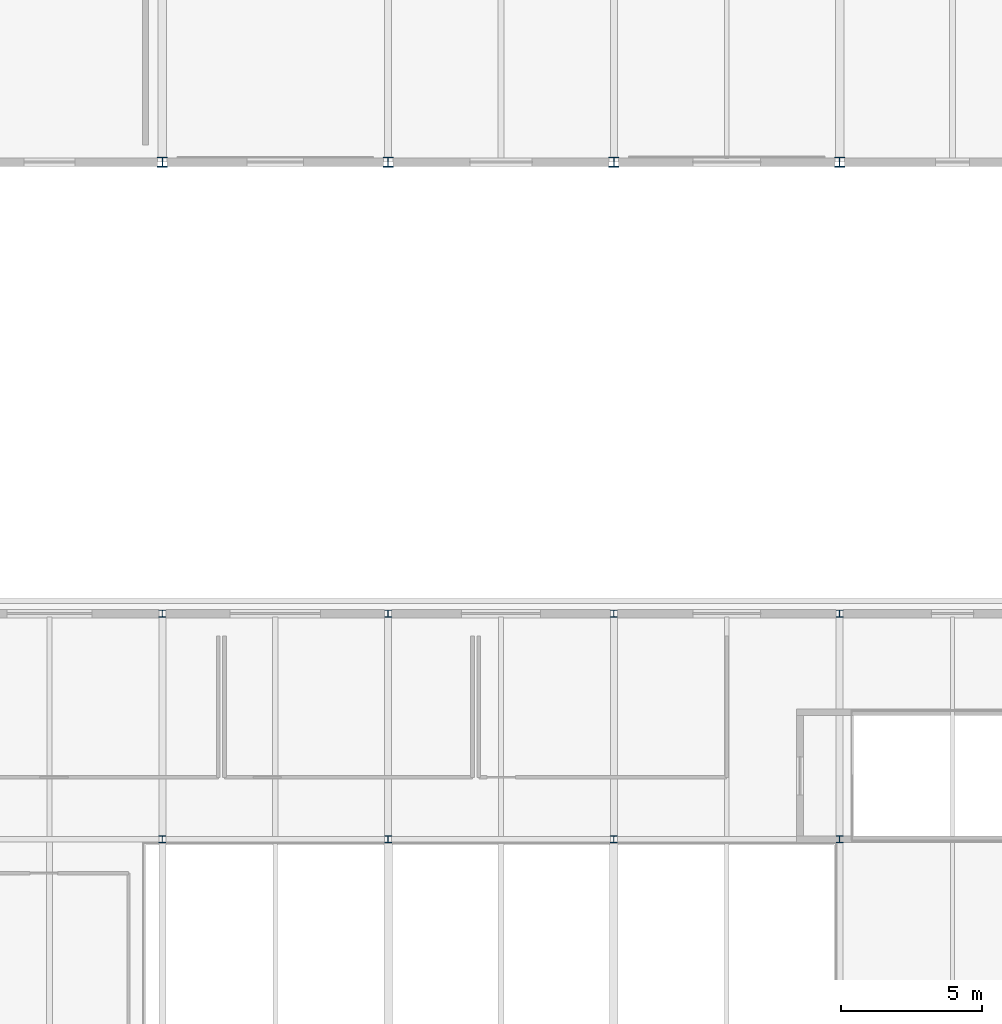
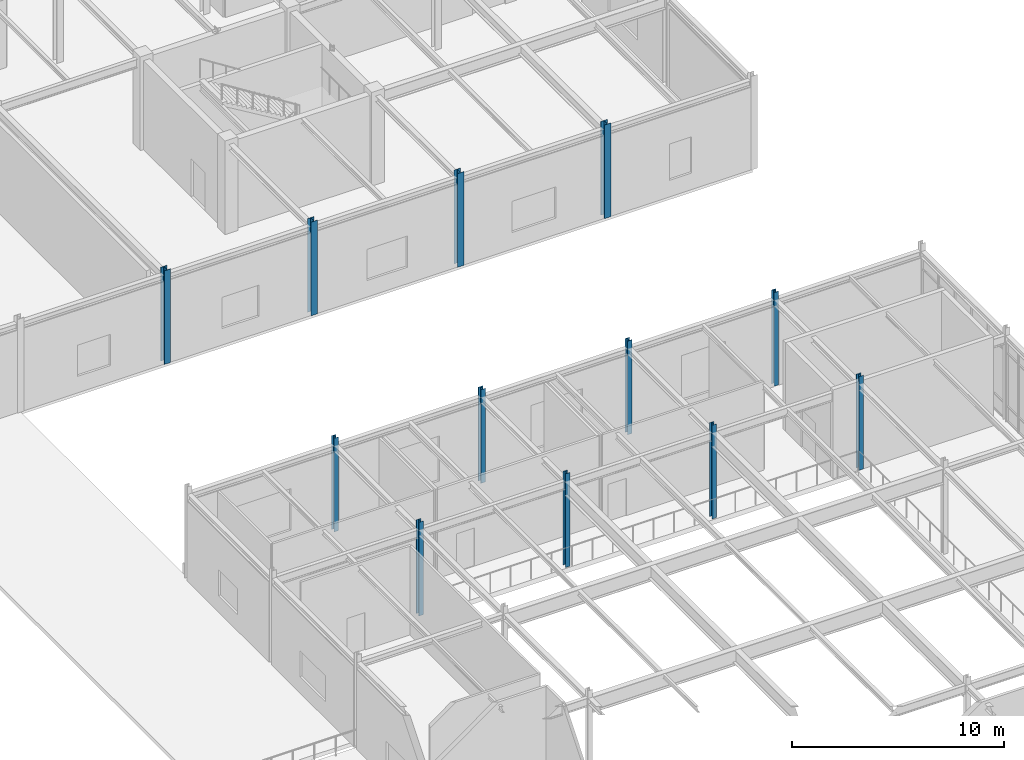
# One storey, part 19 of 108: 12 columns.
"""IFC4 building model written with IfcOpenShell, lengths in metres."""

from ifc_helpers import new_model, si_unit, direction, frame, origin, origin_2d, place, context, subcontext, project, spatial, i_section, extrude, material, material_profile, profile_set, type_object, element, save


model = new_model("IFC4")

# Units and contexts
model_context = context("Model", 3, precision=1e-05, world=origin(), true_north=direction((0.0, 1.0)))
body_context = subcontext(model_context, "Body", "Model", "MODEL_VIEW")
ifc_project = project(units=[si_unit("LENGTHUNIT", "METRE"), si_unit("AREAUNIT", "SQUARE_METRE"), si_unit("VOLUMEUNIT", "CUBIC_METRE"), si_unit("PLANEANGLEUNIT", "RADIAN"), si_unit("MASSUNIT", "GRAM", prefix="KILO")], contexts=[model_context])

# Site, building, storey
site_placement = place(None, origin())
site = spatial("IfcSite", under=ifc_project, at=site_placement, CompositionType="ELEMENT")
building_placement = place(site_placement, origin())
building = spatial("IfcBuilding", under=site, at=building_placement, Name="Zhaolan Boulevard Law Courts", CompositionType="ELEMENT")
storey_placement = place(building_placement, frame((0.0, 0.0, 10.800048828125)))
storey = spatial("IfcBuildingStorey", under=building, at=storey_placement, Name="L02", CompositionType="ELEMENT", Elevation=10.800048828125)

# Columns
ifc_material_1 = material(Name="Structural steel Q355B", Category="steel")
ifc_material_profile_1 = material_profile(ifc_material_1, i_section(OverallWidth=0.25, OverallDepth=0.25, WebThickness=0.009033203125, FlangeThickness=0.013916015625, FilletRadius=0.01611328125, at=origin_2d()), Name="HW250x250")
ifc_profile_set_1 = profile_set([ifc_material_profile_1], Name="Structural steel Q355B")
column_type_1 = type_object("IfcColumnType", Name="COL HW250", PredefinedType="COLUMN", material=ifc_profile_set_1)
for number, where, z_axis, x_axis, name in (
    (1, (132.0, 38.0, 0.0), (0.0, 0.0, 1.0), (1.0, 0.0, 0.0), "Column C-17F (L02)"),
    (2, (132.0, 46.0, 0.0), (0.0, 0.0, 1.0), (1.0, 0.0, 0.0), "Column C-17G (L02)"),
    (3, (140.0, 38.0, 0.0), (0.0, 0.0, 1.0), (1.0, 0.0, 0.0), "Column C-18F (L02)"),
    (4, (140.0, 46.0, 0.0), (0.0, 0.0, 1.0), (1.0, 0.0, 0.0), "Column C-18G (L02)"),
    (5, (148.0, 38.0, 0.0), (0.0, 0.0, 1.0), (1.0, 0.0, 0.0), "Column C-19F (L02)"),
    (6, (148.0, 46.0, 0.0), (0.0, 0.0, 1.0), (1.0, 0.0, 0.0), "Column C-19G (L02)"),
    (7, (156.0, 38.0, 0.0), (0.0, 0.0, 1.0), (1.0, 0.0, 0.0), "Column C-20F (L02)"),
    (8, (156.0, 46.0, 0.0), (0.0, 0.0, 1.0), (1.0, 0.0, 0.0), "Column C-20G (L02)"),
):
    element("IfcColumn", number, at=place(storey_placement, frame(where, z_axis=z_axis, x_axis=x_axis)), inside=storey, type_object=column_type_1, Name=name, PredefinedType="COLUMN", context=body_context, shape_type="SweptSolid", body=[
        extrude(i_section(OverallWidth=0.25, OverallDepth=0.25, WebThickness=0.009033203125, FlangeThickness=0.013916015625, FilletRadius=0.01611328125, at=origin_2d()), origin(), (0.0, 0.0, 1.0), 5.39990234375),
    ])
ifc_material_2 = material(Name="Structural steel Q355B", Category="steel")
ifc_material_profile_2 = material_profile(ifc_material_2, i_section(OverallWidth=0.35009765625, OverallDepth=0.35009765625, WebThickness=0.011962890625, FlangeThickness=0.01904296875, FilletRadius=0.02001953125, at=origin_2d()), Name="HW350x350")
ifc_profile_set_2 = profile_set([ifc_material_profile_2], Name="Structural steel Q355B")
column_type_2 = type_object("IfcColumnType", Name="COL HW350", PredefinedType="COLUMN", material=ifc_profile_set_2)
for number, where, z_axis, x_axis, name in (
    (9, (132.0, 62.0, 0.0), (0.0, 0.0, 1.0), (1.0, 0.0, 0.0), "Column C-17J (L02)"),
    (10, (140.0, 62.0, 0.0), (0.0, 0.0, 1.0), (1.0, 0.0, 0.0), "Column C-18J (L02)"),
    (11, (148.0, 62.0, 0.0), (0.0, 0.0, 1.0), (1.0, 0.0, 0.0), "Column C-19J (L02)"),
    (12, (156.0, 62.0, 0.0), (0.0, 0.0, 1.0), (1.0, 0.0, 0.0), "Column C-20J (L02)"),
):
    element("IfcColumn", number, at=place(storey_placement, frame(where, z_axis=z_axis, x_axis=x_axis)), inside=storey, type_object=column_type_2, Name=name, PredefinedType="COLUMN", context=body_context, shape_type="SweptSolid", body=[
        extrude(i_section(OverallWidth=0.35009765625, OverallDepth=0.35009765625, WebThickness=0.011962890625, FlangeThickness=0.01904296875, FilletRadius=0.02001953125, at=origin_2d()), origin(), (0.0, 0.0, 1.0), 5.39990234375),
    ])

save(model, "model.ifc")
